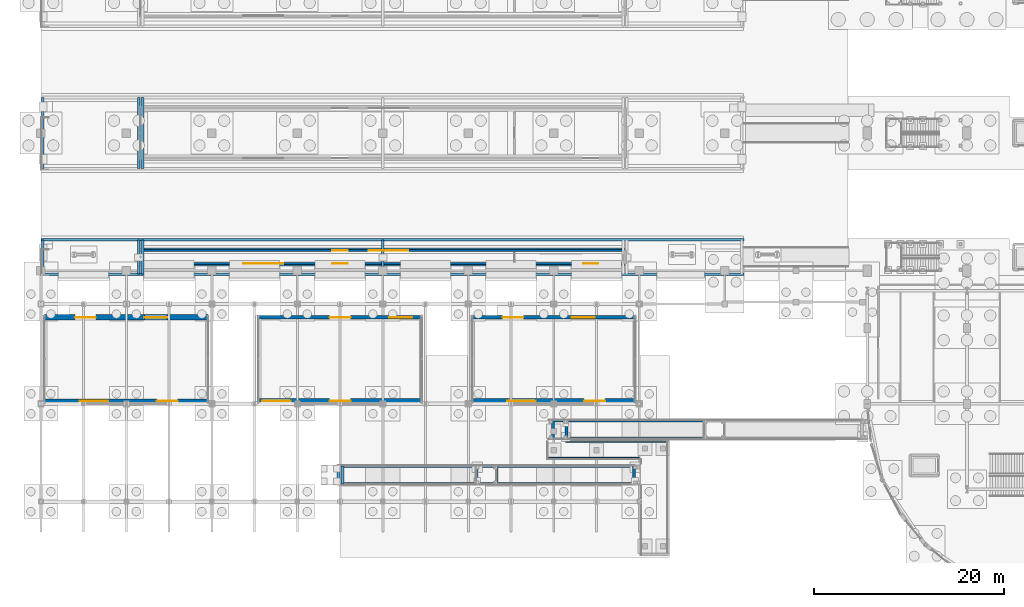
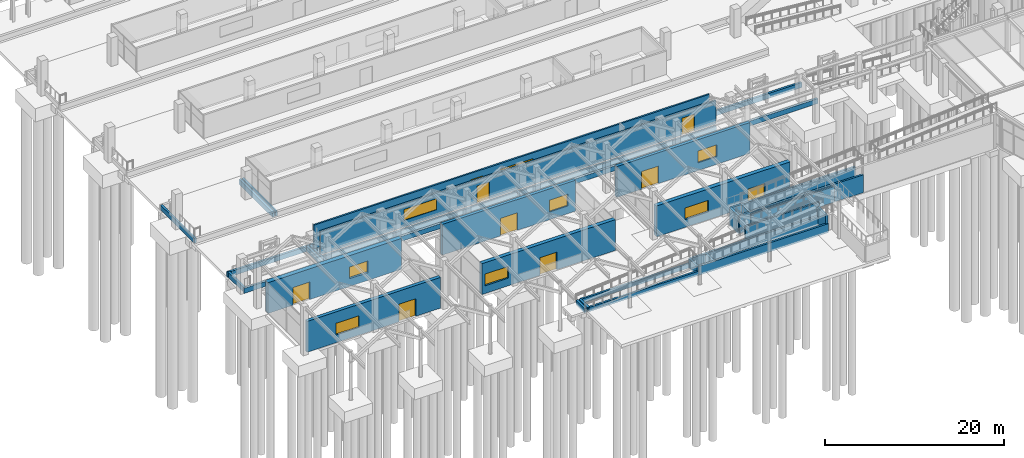
# One storey, part 98 of 160: 34 walls, 9 doors, 8 windows, 17 openings.
"""IFC4 building model written with IfcOpenShell, lengths in metres."""

from ifc_helpers import new_model, si_unit, direction, frame, frame_2d, origin, place, context, subcontext, project, spatial, rectangle, extrude, material, layer, layer_set, type_object, element, fill, save


model = new_model("IFC4")

# Units and contexts
model_context = context("Model", 3, precision=1e-05, world=origin(), true_north=direction((0.0, 1.0)))
body_context = subcontext(model_context, "Body", "Model", "MODEL_VIEW")
ifc_project = project(units=[si_unit("LENGTHUNIT", "METRE"), si_unit("AREAUNIT", "SQUARE_METRE"), si_unit("VOLUMEUNIT", "CUBIC_METRE"), si_unit("PLANEANGLEUNIT", "RADIAN"), si_unit("MASSUNIT", "GRAM", prefix="KILO")], contexts=[model_context])

# Site, building, storey
site_placement = place(None, origin())
site = spatial("IfcSite", under=ifc_project, at=site_placement, CompositionType="ELEMENT")
building_placement = place(site_placement, origin())
building = spatial("IfcBuilding", under=site, at=building_placement, Name="Marlcrest Central Station", CompositionType="ELEMENT")
storey_placement = place(building_placement, origin())
storey = spatial("IfcBuildingStorey", under=building, at=storey_placement, Name="L00", CompositionType="ELEMENT", Elevation=0.0)

# Walls
ifc_material_1 = material(Name="Concrete C40/50", Category="concrete")
ifc_layer_1 = layer(ifc_material_1, 0.199951171875, Name="EP-01")
ifc_layer_set_1 = layer_set([ifc_layer_1], Name="Concrete C40/50")
wall_type_1 = type_object("IfcWallType", Name="EP-01", PredefinedType="PARAPET", material=ifc_layer_set_1)
wall_1_placement = place(storey_placement, frame((53.449951171875, 16.75, 0.0), z_axis=(0.0, 0.0, 1.0), x_axis=(1.0, 0.0, 0.0)))
element("IfcWall", 1, at=wall_1_placement, inside=storey, type_object=wall_type_1, Name="ewall-L00-0267", PredefinedType="PARAPET", context=body_context, shape_type="SweptSolid", body=[
    extrude(rectangle(XDim=9.550048828125, YDim=0.199951171875, at=frame_2d((4.77490234375, 0.0))), origin(), (0.0, 0.0, 1.0), 2.14990234375),
])
wall_2_placement = place(storey_placement, frame((55.25, 18.550048828125, 0.0), z_axis=(0.0, 0.0, 1.0), x_axis=(1.0, 0.0, 0.0)))
element("IfcWall", 2, at=wall_2_placement, inside=storey, type_object=wall_type_1, Name="ewall-L00-0268", PredefinedType="PARAPET", context=body_context, shape_type="SweptSolid", body=[
    extrude(rectangle(XDim=10.75, YDim=0.199951171875, at=frame_2d((5.375, 0.0))), origin(), (0.0, 0.0, 1.0), 2.14990234375),
])

# Wall, openings, door, window
ifc_material_2 = material(Name="St. Thomas limestone on Concrete C40/50", Category="masonry")
ifc_layer_2 = layer(ifc_material_2, 0.3798828125, Name="EW-07")
ifc_layer_set_2 = layer_set([ifc_layer_2], Name="St. Thomas limestone on Concrete C40/50")
wall_type_2 = type_object("IfcWallType", Name="EW-07", PredefinedType="SOLIDWALL", material=ifc_layer_set_2)
wall_3_placement = place(storey_placement, frame((22.89990234375, 31.60009765625, 0.0), z_axis=(0.0, 0.0, 1.0), x_axis=(1.0, 0.0, 0.0)))
wall_3 = element("IfcWall", 3, at=wall_3_placement, inside=storey, type_object=wall_type_2, Name="ewall-L00-0034", PredefinedType="SOLIDWALL", context=body_context, shape_type="SweptSolid", body=[
    extrude(rectangle(XDim=17.2001953125, YDim=0.3798828125, at=frame_2d((8.60009765625, 0.0))), origin(), (0.0, 0.0, 1.0), 4.199951171875),
])
opening_1_placement = place(wall_3_placement, frame((7.5, 0.0, 0.0)))
opening_1 = element("IfcOpeningElement", 4, at=opening_1_placement, cuts=wall_3, Name="Opening ED-01", PredefinedType="OPENING", context=body_context, shape_type="SweptSolid", body=[
    extrude(rectangle(XDim=2.199951171875, YDim=2.39990234375, at=frame_2d((1.10009765625, 1.199951171875))), frame((0.0, 0.199951171875, 0.0), z_axis=(0.0, -1.0, 0.0), x_axis=(1.0, 0.0, 0.0)), (0.0, 0.0, 1.0), 0.39990234375),
])
opening_2_placement = place(wall_3_placement, frame((13.800048828125, 0.0, 1.050048828125)))
opening_2 = element("IfcOpeningElement", 5, at=opening_2_placement, cuts=wall_3, Name="Opening WN-02", PredefinedType="OPENING", context=body_context, shape_type="SweptSolid", body=[
    extrude(rectangle(XDim=2.39990234375, YDim=1.60009765625, at=frame_2d((1.199951171875, 0.800048828125))), frame((0.0, 0.199951171875, 0.0), z_axis=(0.0, -1.0, 0.0), x_axis=(1.0, 0.0, 0.0)), (0.0, 0.0, 1.0), 0.39990234375),
])
ifc_material_3 = material(Name="Thermally broken anodised aluminium and laminated safety glass", Category="aluminium")
door_type_1 = type_object("IfcDoorType", Name="ED-01", OperationType="DOUBLE_DOOR_SINGLE_SWING", PredefinedType="DOOR", material=ifc_material_3)
door_1_placement = place(opening_1_placement, origin())
door_1 = element("IfcDoor", 6, at=door_1_placement, inside=storey, type_object=door_type_1, Name="Pavilion 2 Concourse Apron Exit Door 018", OperationType="DOUBLE_DOOR_SINGLE_SWING", OverallHeight=2.39990234375, OverallWidth=2.199951171875, PredefinedType="DOOR", context=body_context, shape_type="SweptSolid", body=[
    extrude(rectangle(XDim=2.199951171875, YDim=2.39990234375, at=frame_2d((1.10009765625, 1.199951171875))), frame((0.0, 0.02490234375, 0.0), z_axis=(0.0, -1.0, 0.0), x_axis=(1.0, 0.0, 0.0)), (0.0, 0.0, 1.0), 0.050048828125),
])
fill(opening_1, door_1)
ifc_material_4 = material(Name="Thermally broken bronze-anodised aluminium and laminated low-E glass", Category="aluminium")
window_type_1 = type_object("IfcWindowType", Name="WN-02", PartitioningType="SINGLE_PANEL", PredefinedType="WINDOW", material=ifc_material_4)
window_1_placement = place(opening_2_placement, origin())
window_1 = element("IfcWindow", 7, at=window_1_placement, inside=storey, type_object=window_type_1, Name="ewin-L00-0004", OverallHeight=1.60009765625, OverallWidth=2.39990234375, PartitioningType="SINGLE_PANEL", PredefinedType="WINDOW", context=body_context, shape_type="SweptSolid", body=[
    extrude(rectangle(XDim=2.39990234375, YDim=1.60009765625, at=frame_2d((1.199951171875, 0.800048828125))), frame((0.0, 0.030029296875, 0.0), z_axis=(0.0, -1.0, 0.0), x_axis=(1.0, 0.0, 0.0)), (0.0, 0.0, 1.0), 0.06005859375),
])
fill(opening_2, window_1)

wall_4_placement = place(storey_placement, frame((45.39990234375, 31.60009765625, 0.0), z_axis=(0.0, 0.0, 1.0), x_axis=(1.0, 0.0, 0.0)))
wall_4 = element("IfcWall", 8, at=wall_4_placement, inside=storey, type_object=wall_type_2, Name="ewall-L00-0036", PredefinedType="SOLIDWALL", context=body_context, shape_type="SweptSolid", body=[
    extrude(rectangle(XDim=17.2001953125, YDim=0.3798828125, at=frame_2d((8.60009765625, 0.0))), origin(), (0.0, 0.0, 1.0), 4.199951171875),
])
opening_3_placement = place(wall_4_placement, frame((3.199951171875, 0.0, 0.0)))
opening_3 = element("IfcOpeningElement", 9, at=opening_3_placement, cuts=wall_4, Name="Opening ED-01", PredefinedType="OPENING", context=body_context, shape_type="SweptSolid", body=[
    extrude(rectangle(XDim=2.199951171875, YDim=2.39990234375, at=frame_2d((1.10009765625, 1.199951171875))), frame((0.0, 0.199951171875, 0.0), z_axis=(0.0, -1.0, 0.0), x_axis=(1.0, 0.0, 0.0)), (0.0, 0.0, 1.0), 0.39990234375),
])
opening_4_placement = place(wall_4_placement, frame((10.5, 0.0, 1.050048828125)))
opening_4 = element("IfcOpeningElement", 10, at=opening_4_placement, cuts=wall_4, Name="Opening WN-02", PredefinedType="OPENING", context=body_context, shape_type="SweptSolid", body=[
    extrude(rectangle(XDim=2.39990234375, YDim=1.60009765625, at=frame_2d((1.199951171875, 0.800048828125))), frame((0.0, 0.199951171875, 0.0), z_axis=(0.0, -1.0, 0.0), x_axis=(1.0, 0.0, 0.0)), (0.0, 0.0, 1.0), 0.39990234375),
])
door_2_placement = place(opening_3_placement, origin())
door_2 = element("IfcDoor", 11, at=door_2_placement, inside=storey, type_object=door_type_1, Name="Pavilion 3 Concourse Apron Exit Door 020", OperationType="DOUBLE_DOOR_SINGLE_SWING", OverallHeight=2.39990234375, OverallWidth=2.199951171875, PredefinedType="DOOR", context=body_context, shape_type="SweptSolid", body=[
    extrude(rectangle(XDim=2.199951171875, YDim=2.39990234375, at=frame_2d((1.10009765625, 1.199951171875))), frame((0.0, 0.02490234375, 0.0), z_axis=(0.0, -1.0, 0.0), x_axis=(1.0, 0.0, 0.0)), (0.0, 0.0, 1.0), 0.050048828125),
])
fill(opening_3, door_2)
window_2_placement = place(opening_4_placement, origin())
window_2 = element("IfcWindow", 12, at=window_2_placement, inside=storey, type_object=window_type_1, Name="ewin-L00-0006", OverallHeight=1.60009765625, OverallWidth=2.39990234375, PartitioningType="SINGLE_PANEL", PredefinedType="WINDOW", context=body_context, shape_type="SweptSolid", body=[
    extrude(rectangle(XDim=2.39990234375, YDim=1.60009765625, at=frame_2d((1.199951171875, 0.800048828125))), frame((0.0, 0.030029296875, 0.0), z_axis=(0.0, -1.0, 0.0), x_axis=(1.0, 0.0, 0.0)), (0.0, 0.0, 1.0), 0.06005859375),
])
fill(opening_4, window_2)

# Wall, openings, doors, window
ifc_material_5 = material(Name="Concrete C35/45", Category="concrete")
ifc_layer_3 = layer(ifc_material_5, 0.2099609375, Name="EW-08")
ifc_layer_set_3 = layer_set([ifc_layer_3], Name="Concrete C35/45")
wall_type_3 = type_object("IfcWallType", Name="EW-08", PredefinedType="SOLIDWALL", material=ifc_layer_set_3)
wall_5_placement = place(storey_placement, frame((61.5, 37.25, 0.9150390625), z_axis=(0.0, 0.0, 1.0), x_axis=(-1.0, 0.0, 0.0)))
wall_5 = element("IfcWall", 13, at=wall_5_placement, inside=storey, type_object=wall_type_3, Name="ewall-L00-0215", PredefinedType="SOLIDWALL", context=body_context, shape_type="SweptSolid", body=[
    extrude(rectangle(XDim=51.0, YDim=0.2099609375, at=frame_2d((25.5, 0.0))), origin(), (0.0, 0.0, 1.0), 3.18505859375),
])
opening_5_placement = place(wall_5_placement, frame((29.199951171875, 0.0, 0.0)))
opening_5 = element("IfcOpeningElement", 14, at=opening_5_placement, cuts=wall_5, Name="Opening ED-05", PredefinedType="OPENING", context=body_context, shape_type="SweptSolid", body=[
    extrude(rectangle(XDim=1.60009765625, YDim=2.300048828125, at=frame_2d((0.800048828125, 1.14990234375))), frame((0.0, 0.114990234375, 0.0), z_axis=(0.0, -1.0, 0.0), x_axis=(1.0, 0.0, 0.0)), (0.0, 0.0, 1.0), 0.22998046875),
])
opening_6_placement = place(wall_5_placement, frame((2.800048828125, 0.0, 0.0)))
opening_6 = element("IfcOpeningElement", 15, at=opening_6_placement, cuts=wall_5, Name="Opening ED-05", PredefinedType="OPENING", context=body_context, shape_type="SweptSolid", body=[
    extrude(rectangle(XDim=1.60009765625, YDim=2.300048828125, at=frame_2d((0.800048828125, 1.14990234375))), frame((0.0, 0.114990234375, 0.0), z_axis=(0.0, -1.0, 0.0), x_axis=(1.0, 0.0, 0.0)), (0.0, 0.0, 1.0), 0.22998046875),
])
opening_7_placement = place(wall_5_placement, frame((36.0, 0.0, 0.89990234375)))
opening_7 = element("IfcOpeningElement", 16, at=opening_7_placement, cuts=wall_5, Name="Opening WN-12", PredefinedType="OPENING", context=body_context, shape_type="SweptSolid", body=[
    extrude(rectangle(XDim=4.199951171875, YDim=1.5, at=frame_2d((2.10009765625, 0.75))), frame((0.0, 0.114990234375, 0.0), z_axis=(0.0, -1.0, 0.0), x_axis=(1.0, 0.0, 0.0)), (0.0, 0.0, 1.0), 0.22998046875),
])
door_type_2 = type_object("IfcDoorType", Name="ED-05", OperationType="DOUBLE_DOOR_SINGLE_SWING", PredefinedType="DOOR", material=ifc_material_3)
door_3_placement = place(opening_5_placement, origin())
door_3 = element("IfcDoor", 17, at=door_3_placement, inside=storey, type_object=door_type_2, Name="Platform 1 W South Lounge Door 045", OperationType="DOUBLE_DOOR_SINGLE_SWING", OverallHeight=2.300048828125, OverallWidth=1.60009765625, PredefinedType="DOOR", context=body_context, shape_type="SweptSolid", body=[
    extrude(rectangle(XDim=1.60009765625, YDim=2.300048828125, at=frame_2d((0.800048828125, 1.14990234375))), frame((0.0, 0.02490234375, 0.0), z_axis=(0.0, -1.0, 0.0), x_axis=(1.0, 0.0, 0.0)), (0.0, 0.0, 1.0), 0.050048828125),
])
fill(opening_5, door_3)
door_4_placement = place(opening_6_placement, origin())
door_4 = element("IfcDoor", 18, at=door_4_placement, inside=storey, type_object=door_type_2, Name="Platform 1 W Pod Door 046", OperationType="DOUBLE_DOOR_SINGLE_SWING", OverallHeight=2.300048828125, OverallWidth=1.60009765625, PredefinedType="DOOR", context=body_context, shape_type="SweptSolid", body=[
    extrude(rectangle(XDim=1.60009765625, YDim=2.300048828125, at=frame_2d((0.800048828125, 1.14990234375))), frame((0.0, 0.02490234375, 0.0), z_axis=(0.0, -1.0, 0.0), x_axis=(1.0, 0.0, 0.0)), (0.0, 0.0, 1.0), 0.050048828125),
])
fill(opening_6, door_4)
window_type_2 = type_object("IfcWindowType", Name="WN-12", PartitioningType="SINGLE_PANEL", PredefinedType="WINDOW", material=ifc_material_4)
window_3_placement = place(opening_7_placement, origin())
window_3 = element("IfcWindow", 19, at=window_3_placement, inside=storey, type_object=window_type_2, Name="ewin-L00-0168", OverallHeight=1.5, OverallWidth=4.199951171875, PartitioningType="SINGLE_PANEL", PredefinedType="WINDOW", context=body_context, shape_type="SweptSolid", body=[
    extrude(rectangle(XDim=4.199951171875, YDim=1.5, at=frame_2d((2.10009765625, 0.75))), frame((0.0, 0.030029296875, 0.0), z_axis=(0.0, -1.0, 0.0), x_axis=(1.0, 0.0, 0.0)), (0.0, 0.0, 1.0), 0.06005859375),
])
fill(opening_7, window_3)

# Wall, openings, door, window
wall_6_placement = place(storey_placement, frame((10.5, 38.64990234375, 0.9150390625), z_axis=(0.0, 0.0, 1.0), x_axis=(1.0, 0.0, 0.0)))
wall_6 = element("IfcWall", 20, at=wall_6_placement, inside=storey, type_object=wall_type_3, Name="ewall-L00-0216", PredefinedType="SOLIDWALL", context=body_context, shape_type="SweptSolid", body=[
    extrude(rectangle(XDim=51.0, YDim=0.2099609375, at=frame_2d((25.5, 0.0))), origin(), (0.0, 0.0, 1.0), 3.18505859375),
])
opening_8_placement = place(wall_6_placement, frame((20.199951171875, 0.0, 0.0)))
opening_8 = element("IfcOpeningElement", 21, at=opening_8_placement, cuts=wall_6, Name="Opening ED-05", PredefinedType="OPENING", context=body_context, shape_type="SweptSolid", body=[
    extrude(rectangle(XDim=1.60009765625, YDim=2.300048828125, at=frame_2d((0.800048828125, 1.14990234375))), frame((0.0, 0.114990234375, 0.0), z_axis=(0.0, -1.0, 0.0), x_axis=(1.0, 0.0, 0.0)), (0.0, 0.0, 1.0), 0.22998046875),
])
opening_9_placement = place(wall_6_placement, frame((24.0, 0.0, 0.89990234375)))
opening_9 = element("IfcOpeningElement", 22, at=opening_9_placement, cuts=wall_6, Name="Opening WN-12", PredefinedType="OPENING", context=body_context, shape_type="SweptSolid", body=[
    extrude(rectangle(XDim=4.199951171875, YDim=1.5, at=frame_2d((2.10009765625, 0.75))), frame((0.0, 0.114990234375, 0.0), z_axis=(0.0, -1.0, 0.0), x_axis=(1.0, 0.0, 0.0)), (0.0, 0.0, 1.0), 0.22998046875),
])
door_5_placement = place(opening_8_placement, origin())
door_5 = element("IfcDoor", 23, at=door_5_placement, inside=storey, type_object=door_type_2, Name="Platform 1 W North Lounge Door 047", OperationType="DOUBLE_DOOR_SINGLE_SWING", OverallHeight=2.300048828125, OverallWidth=1.60009765625, PredefinedType="DOOR", context=body_context, shape_type="SweptSolid", body=[
    extrude(rectangle(XDim=1.60009765625, YDim=2.300048828125, at=frame_2d((0.800048828125, 1.14990234375))), frame((0.0, 0.02490234375, 0.0), z_axis=(0.0, -1.0, 0.0), x_axis=(1.0, 0.0, 0.0)), (0.0, 0.0, 1.0), 0.050048828125),
])
fill(opening_8, door_5)
window_4_placement = place(opening_9_placement, origin())
window_4 = element("IfcWindow", 24, at=window_4_placement, inside=storey, type_object=window_type_2, Name="ewin-L00-0169", OverallHeight=1.5, OverallWidth=4.199951171875, PartitioningType="SINGLE_PANEL", PredefinedType="WINDOW", context=body_context, shape_type="SweptSolid", body=[
    extrude(rectangle(XDim=4.199951171875, YDim=1.5, at=frame_2d((2.10009765625, 0.75))), frame((0.0, 0.030029296875, 0.0), z_axis=(0.0, -1.0, 0.0), x_axis=(1.0, 0.0, 0.0)), (0.0, 0.0, 1.0), 0.06005859375),
])
fill(opening_9, window_4)

ifc_layer_4 = layer(ifc_material_2, 0.429931640625, Name="EW-09")
ifc_layer_set_4 = layer_set([ifc_layer_4], Name="St. Thomas limestone on Concrete C40/50")
wall_type_4 = type_object("IfcWallType", Name="EW-09", PredefinedType="SOLIDWALL", material=ifc_layer_set_4)
wall_7_placement = place(storey_placement, frame((17.60009765625, 22.800048828125, 0.0), z_axis=(0.0, 0.0, 1.0), x_axis=(-1.0, 0.0, 0.0)))
wall_7 = element("IfcWall", 25, at=wall_7_placement, inside=storey, type_object=wall_type_4, Name="ewall-L00-0031", PredefinedType="SOLIDWALL", context=body_context, shape_type="SweptSolid", body=[
    extrude(rectangle(XDim=17.2001953125, YDim=0.429931640625, at=frame_2d((8.60009765625, 0.0))), origin(), (0.0, 0.0, 1.0), 4.199951171875),
])
opening_10_placement = place(wall_7_placement, frame((3.199951171875, 0.0, 0.0)))
opening_10 = element("IfcOpeningElement", 26, at=opening_10_placement, cuts=wall_7, Name="Opening ED-01", PredefinedType="OPENING", context=body_context, shape_type="SweptSolid", body=[
    extrude(rectangle(XDim=2.199951171875, YDim=2.39990234375, at=frame_2d((1.10009765625, 1.199951171875))), frame((0.0, 0.224853515625, 0.0), z_axis=(0.0, -1.0, 0.0), x_axis=(1.0, 0.0, 0.0)), (0.0, 0.0, 1.0), 0.449951171875),
])
opening_11_placement = place(wall_7_placement, frame((10.5, 0.0, 1.050048828125)))
opening_11 = element("IfcOpeningElement", 27, at=opening_11_placement, cuts=wall_7, Name="Opening WN-03", PredefinedType="OPENING", context=body_context, shape_type="SweptSolid", body=[
    extrude(rectangle(XDim=3.0, YDim=1.60009765625, at=frame_2d((1.5, 0.800048828125))), frame((0.0, 0.224853515625, 0.0), z_axis=(0.0, -1.0, 0.0), x_axis=(1.0, 0.0, 0.0)), (0.0, 0.0, 1.0), 0.449951171875),
])
door_6_placement = place(opening_10_placement, origin())
door_6 = element("IfcDoor", 28, at=door_6_placement, inside=storey, type_object=door_type_1, Name="Pavilion 1 Forecourt Exit Door 015", OperationType="DOUBLE_DOOR_SINGLE_SWING", OverallHeight=2.39990234375, OverallWidth=2.199951171875, PredefinedType="DOOR", context=body_context, shape_type="SweptSolid", body=[
    extrude(rectangle(XDim=2.199951171875, YDim=2.39990234375, at=frame_2d((1.10009765625, 1.199951171875))), frame((0.0, 0.02490234375, 0.0), z_axis=(0.0, -1.0, 0.0), x_axis=(1.0, 0.0, 0.0)), (0.0, 0.0, 1.0), 0.050048828125),
])
fill(opening_10, door_6)
window_type_3 = type_object("IfcWindowType", Name="WN-03", PartitioningType="SINGLE_PANEL", PredefinedType="WINDOW", material=ifc_material_4)
window_5_placement = place(opening_11_placement, origin())
window_5 = element("IfcWindow", 29, at=window_5_placement, inside=storey, type_object=window_type_3, Name="ewin-L00-0001", OverallHeight=1.60009765625, OverallWidth=3.0, PartitioningType="SINGLE_PANEL", PredefinedType="WINDOW", context=body_context, shape_type="SweptSolid", body=[
    extrude(rectangle(XDim=3.0, YDim=1.60009765625, at=frame_2d((1.5, 0.800048828125))), frame((0.0, 0.030029296875, 0.0), z_axis=(0.0, -1.0, 0.0), x_axis=(1.0, 0.0, 0.0)), (0.0, 0.0, 1.0), 0.06005859375),
])
fill(opening_11, window_5)

ifc_layer_5 = layer(ifc_material_2, 0.47998046875, Name="EW-10")
ifc_layer_set_5 = layer_set([ifc_layer_5], Name="St. Thomas limestone on Concrete C40/50")
wall_type_5 = type_object("IfcWallType", Name="EW-10", PredefinedType="SOLIDWALL", material=ifc_layer_set_5)
wall_8_placement = place(storey_placement, frame((40.10009765625, 22.800048828125, 0.0), z_axis=(0.0, 0.0, 1.0), x_axis=(-1.0, 0.0, 0.0)))
wall_8 = element("IfcWall", 30, at=wall_8_placement, inside=storey, type_object=wall_type_5, Name="ewall-L00-0033", PredefinedType="SOLIDWALL", context=body_context, shape_type="SweptSolid", body=[
    extrude(rectangle(XDim=17.2001953125, YDim=0.47998046875, at=frame_2d((8.60009765625, 0.0))), origin(), (0.0, 0.0, 1.0), 4.199951171875),
])
opening_12_placement = place(wall_8_placement, frame((7.5, 0.0, 0.0)))
opening_12 = element("IfcOpeningElement", 31, at=opening_12_placement, cuts=wall_8, Name="Opening ED-01", PredefinedType="OPENING", context=body_context, shape_type="SweptSolid", body=[
    extrude(rectangle(XDim=2.199951171875, YDim=2.39990234375, at=frame_2d((1.10009765625, 1.199951171875))), frame((0.0, 0.25, 0.0), z_axis=(0.0, -1.0, 0.0), x_axis=(1.0, 0.0, 0.0)), (0.0, 0.0, 1.0), 0.5),
])
opening_13_placement = place(wall_8_placement, frame((13.800048828125, 0.0, 1.050048828125)))
opening_13 = element("IfcOpeningElement", 32, at=opening_13_placement, cuts=wall_8, Name="Opening WN-03", PredefinedType="OPENING", context=body_context, shape_type="SweptSolid", body=[
    extrude(rectangle(XDim=3.0, YDim=1.60009765625, at=frame_2d((1.5, 0.800048828125))), frame((0.0, 0.25, 0.0), z_axis=(0.0, -1.0, 0.0), x_axis=(1.0, 0.0, 0.0)), (0.0, 0.0, 1.0), 0.5),
])
door_7_placement = place(opening_12_placement, origin())
door_7 = element("IfcDoor", 33, at=door_7_placement, inside=storey, type_object=door_type_1, Name="Pavilion 2 Forecourt Exit Door 017", OperationType="DOUBLE_DOOR_SINGLE_SWING", OverallHeight=2.39990234375, OverallWidth=2.199951171875, PredefinedType="DOOR", context=body_context, shape_type="SweptSolid", body=[
    extrude(rectangle(XDim=2.199951171875, YDim=2.39990234375, at=frame_2d((1.10009765625, 1.199951171875))), frame((0.0, 0.02490234375, 0.0), z_axis=(0.0, -1.0, 0.0), x_axis=(1.0, 0.0, 0.0)), (0.0, 0.0, 1.0), 0.050048828125),
])
fill(opening_12, door_7)
window_6_placement = place(opening_13_placement, origin())
window_6 = element("IfcWindow", 34, at=window_6_placement, inside=storey, type_object=window_type_3, Name="ewin-L00-0003", OverallHeight=1.60009765625, OverallWidth=3.0, PartitioningType="SINGLE_PANEL", PredefinedType="WINDOW", context=body_context, shape_type="SweptSolid", body=[
    extrude(rectangle(XDim=3.0, YDim=1.60009765625, at=frame_2d((1.5, 0.800048828125))), frame((0.0, 0.030029296875, 0.0), z_axis=(0.0, -1.0, 0.0), x_axis=(1.0, 0.0, 0.0)), (0.0, 0.0, 1.0), 0.06005859375),
])
fill(opening_13, window_6)

ifc_layer_6 = layer(ifc_material_2, 0.52001953125, Name="EW-11")
ifc_layer_set_6 = layer_set([ifc_layer_6], Name="St. Thomas limestone on Concrete C40/50")
wall_type_6 = type_object("IfcWallType", Name="EW-11", PredefinedType="SOLIDWALL", material=ifc_layer_set_6)
wall_9_placement = place(storey_placement, frame((62.60009765625, 22.800048828125, 0.0), z_axis=(0.0, 0.0, 1.0), x_axis=(-1.0, 0.0, 0.0)))
wall_9 = element("IfcWall", 35, at=wall_9_placement, inside=storey, type_object=wall_type_6, Name="ewall-L00-0035", PredefinedType="SOLIDWALL", context=body_context, shape_type="SweptSolid", body=[
    extrude(rectangle(XDim=17.2001953125, YDim=0.52001953125, at=frame_2d((8.60009765625, 0.0))), origin(), (0.0, 0.0, 1.0), 4.199951171875),
])
opening_14_placement = place(wall_9_placement, frame((3.199951171875, 0.0, 0.0)))
opening_14 = element("IfcOpeningElement", 36, at=opening_14_placement, cuts=wall_9, Name="Opening ED-01", PredefinedType="OPENING", context=body_context, shape_type="SweptSolid", body=[
    extrude(rectangle(XDim=2.199951171875, YDim=2.39990234375, at=frame_2d((1.10009765625, 1.199951171875))), frame((0.0, 0.27001953125, 0.0), z_axis=(0.0, -1.0, 0.0), x_axis=(1.0, 0.0, 0.0)), (0.0, 0.0, 1.0), 0.5400390625),
])
opening_15_placement = place(wall_9_placement, frame((10.5, 0.0, 1.050048828125)))
opening_15 = element("IfcOpeningElement", 37, at=opening_15_placement, cuts=wall_9, Name="Opening WN-03", PredefinedType="OPENING", context=body_context, shape_type="SweptSolid", body=[
    extrude(rectangle(XDim=3.0, YDim=1.60009765625, at=frame_2d((1.5, 0.800048828125))), frame((0.0, 0.27001953125, 0.0), z_axis=(0.0, -1.0, 0.0), x_axis=(1.0, 0.0, 0.0)), (0.0, 0.0, 1.0), 0.5400390625),
])
door_8_placement = place(opening_14_placement, origin())
door_8 = element("IfcDoor", 38, at=door_8_placement, inside=storey, type_object=door_type_1, Name="Pavilion 3 Forecourt Exit Door 019", OperationType="DOUBLE_DOOR_SINGLE_SWING", OverallHeight=2.39990234375, OverallWidth=2.199951171875, PredefinedType="DOOR", context=body_context, shape_type="SweptSolid", body=[
    extrude(rectangle(XDim=2.199951171875, YDim=2.39990234375, at=frame_2d((1.10009765625, 1.199951171875))), frame((0.0, 0.02490234375, 0.0), z_axis=(0.0, -1.0, 0.0), x_axis=(1.0, 0.0, 0.0)), (0.0, 0.0, 1.0), 0.050048828125),
])
fill(opening_14, door_8)
window_7_placement = place(opening_15_placement, origin())
window_7 = element("IfcWindow", 39, at=window_7_placement, inside=storey, type_object=window_type_3, Name="ewin-L00-0005", OverallHeight=1.60009765625, OverallWidth=3.0, PartitioningType="SINGLE_PANEL", PredefinedType="WINDOW", context=body_context, shape_type="SweptSolid", body=[
    extrude(rectangle(XDim=3.0, YDim=1.60009765625, at=frame_2d((1.5, 0.800048828125))), frame((0.0, 0.030029296875, 0.0), z_axis=(0.0, -1.0, 0.0), x_axis=(1.0, 0.0, 0.0)), (0.0, 0.0, 1.0), 0.06005859375),
])
fill(opening_15, window_7)

ifc_layer_7 = layer(ifc_material_2, 0.570068359375, Name="EW-12")
ifc_layer_set_7 = layer_set([ifc_layer_7], Name="St. Thomas limestone on Concrete C40/50")
wall_type_7 = type_object("IfcWallType", Name="EW-12", PredefinedType="SOLIDWALL", material=ifc_layer_set_7)
wall_10_placement = place(storey_placement, frame((0.39990234375, 31.60009765625, 0.0), z_axis=(0.0, 0.0, 1.0), x_axis=(1.0, 0.0, 0.0)))
wall_10 = element("IfcWall", 40, at=wall_10_placement, inside=storey, type_object=wall_type_7, Name="ewall-L00-0032", PredefinedType="SOLIDWALL", context=body_context, shape_type="SweptSolid", body=[
    extrude(rectangle(XDim=17.2001953125, YDim=0.570068359375, at=frame_2d((8.60009765625, 0.0))), origin(), (0.0, 0.0, 1.0), 4.199951171875),
])
opening_16_placement = place(wall_10_placement, frame((3.199951171875, 0.0, 0.0)))
opening_16 = element("IfcOpeningElement", 41, at=opening_16_placement, cuts=wall_10, Name="Opening ED-01", PredefinedType="OPENING", context=body_context, shape_type="SweptSolid", body=[
    extrude(rectangle(XDim=2.199951171875, YDim=2.39990234375, at=frame_2d((1.10009765625, 1.199951171875))), frame((0.0, 0.294921875, 0.0), z_axis=(0.0, -1.0, 0.0), x_axis=(1.0, 0.0, 0.0)), (0.0, 0.0, 1.0), 0.590087890625),
])
opening_17_placement = place(wall_10_placement, frame((10.5, 0.0, 1.050048828125)))
opening_17 = element("IfcOpeningElement", 42, at=opening_17_placement, cuts=wall_10, Name="Opening WN-02", PredefinedType="OPENING", context=body_context, shape_type="SweptSolid", body=[
    extrude(rectangle(XDim=2.39990234375, YDim=1.60009765625, at=frame_2d((1.199951171875, 0.800048828125))), frame((0.0, 0.294921875, 0.0), z_axis=(0.0, -1.0, 0.0), x_axis=(1.0, 0.0, 0.0)), (0.0, 0.0, 1.0), 0.590087890625),
])
door_9_placement = place(opening_16_placement, origin())
door_9 = element("IfcDoor", 43, at=door_9_placement, inside=storey, type_object=door_type_1, Name="Pavilion 1 Concourse Apron Exit Door 016", OperationType="DOUBLE_DOOR_SINGLE_SWING", OverallHeight=2.39990234375, OverallWidth=2.199951171875, PredefinedType="DOOR", context=body_context, shape_type="SweptSolid", body=[
    extrude(rectangle(XDim=2.199951171875, YDim=2.39990234375, at=frame_2d((1.10009765625, 1.199951171875))), frame((0.0, 0.02490234375, 0.0), z_axis=(0.0, -1.0, 0.0), x_axis=(1.0, 0.0, 0.0)), (0.0, 0.0, 1.0), 0.050048828125),
])
fill(opening_16, door_9)
window_8_placement = place(opening_17_placement, origin())
window_8 = element("IfcWindow", 44, at=window_8_placement, inside=storey, type_object=window_type_1, Name="ewin-L00-0002", OverallHeight=1.60009765625, OverallWidth=2.39990234375, PartitioningType="SINGLE_PANEL", PredefinedType="WINDOW", context=body_context, shape_type="SweptSolid", body=[
    extrude(rectangle(XDim=2.39990234375, YDim=1.60009765625, at=frame_2d((1.199951171875, 0.800048828125))), frame((0.0, 0.030029296875, 0.0), z_axis=(0.0, -1.0, 0.0), x_axis=(1.0, 0.0, 0.0)), (0.0, 0.0, 1.0), 0.06005859375),
])
fill(opening_17, window_8)

# Walls
ifc_layer_8 = layer(ifc_material_5, 0.27490234375, Name="PW-01")
ifc_layer_set_8 = layer_set([ifc_layer_8], Name="Concrete C35/45")
wall_type_8 = type_object("IfcWallType", Name="PW-01", PredefinedType="SOLIDWALL", material=ifc_layer_set_8)
for number, where, z_axis, x_axis, name in (
    (45, (0.0, 36.14990234375, 0.0), (0.0, 0.0, 1.0), (1.0, 0.0, 0.0), "swall-L00-0055"),
    (46, (0.0, 39.75, 0.0), (0.0, 0.0, 1.0), (1.0, 0.0, 0.0), "swall-L00-0056"),
):
    element("IfcWall", number, at=place(storey_placement, frame(where, z_axis=z_axis, x_axis=x_axis)), inside=storey, type_object=wall_type_8, Name=name, PredefinedType="SOLIDWALL", context=body_context, shape_type="SweptSolid", body=[
        extrude(rectangle(XDim=74.0, YDim=0.27490234375, at=frame_2d((37.0, 0.0))), origin(), (0.0, 0.0, 1.0), 0.675048828125),
    ])
for number, where, z_axis, x_axis, name in (
    (47, (10.5, 37.14990234375, 0.0), (0.0, 0.0, 1.0), (1.0, 0.0, 0.0), "swall-L00-0057"),
    (48, (10.5, 38.75, 0.0), (0.0, 0.0, 1.0), (1.0, 0.0, 0.0), "swall-L00-0058"),
):
    element("IfcWall", number, at=place(storey_placement, frame(where, z_axis=z_axis, x_axis=x_axis)), inside=storey, type_object=wall_type_8, Name=name, PredefinedType="SOLIDWALL", context=body_context, shape_type="SweptSolid", body=[
        extrude(rectangle(XDim=51.0, YDim=0.27490234375, at=frame_2d((25.5, 0.0))), origin(), (0.0, 0.0, 1.0), 0.675048828125),
    ])
for number, where, z_axis, x_axis, name in (
    (49, (0.199951171875, 36.14990234375, 0.0), (0.0, 0.0, 1.0), (0.0, 1.0, 0.0), "swall-L00-0059"),
    (50, (10.300048828125, 36.14990234375, 0.0), (0.0, 0.0, 1.0), (0.0, 1.0, 0.0), "swall-L00-0060"),
    (51, (10.699951171875, 36.14990234375, 0.0), (0.0, 0.0, 1.0), (0.0, 1.0, 0.0), "swall-L00-0061"),
    (52, (36.0, 36.14990234375, 0.0), (0.0, 0.0, 1.0), (0.0, 1.0, 0.0), "swall-L00-0062"),
):
    element("IfcWall", number, at=place(storey_placement, frame(where, z_axis=z_axis, x_axis=x_axis)), inside=storey, type_object=wall_type_8, Name=name, PredefinedType="SOLIDWALL", context=body_context, shape_type="SweptSolid", body=[
        extrude(rectangle(XDim=3.60009765625, YDim=0.27490234375, at=frame_2d((1.800048828125, 0.0))), origin(), (0.0, 0.0, 1.0), 0.675048828125),
    ])
for number, where, z_axis, x_axis, name in (
    (53, (0.199951171875, 47.25, 0.0), (0.0, 0.0, 1.0), (0.0, 1.0, 0.0), "swall-L00-0081"),
    (54, (10.300048828125, 47.25, 0.0), (0.0, 0.0, 1.0), (0.0, 1.0, 0.0), "swall-L00-0082"),
    (55, (10.699951171875, 47.25, 0.0), (0.0, 0.0, 1.0), (0.0, 1.0, 0.0), "swall-L00-0083"),
):
    element("IfcWall", number, at=place(storey_placement, frame(where, z_axis=z_axis, x_axis=x_axis)), inside=storey, type_object=wall_type_8, Name=name, PredefinedType="SOLIDWALL", context=body_context, shape_type="SweptSolid", body=[
        extrude(rectangle(XDim=7.5, YDim=0.27490234375, at=frame_2d((3.75, 0.0))), origin(), (0.0, 0.0, 1.0), 0.675048828125),
    ])
ifc_layer_9 = layer(ifc_material_1, 0.449951171875, Name="RW-01")
ifc_layer_set_9 = layer_set([ifc_layer_9], Name="Concrete C40/50")
wall_type_9 = type_object("IfcWallType", Name="RW-01", PredefinedType="USERDEFINED", material=ifc_layer_set_9)
for number, where, z_axis, x_axis, name in (
    (56, (31.75, 14.050048828125, -0.25), (0.0, 0.0, 1.0), (0.0, 1.0, 0.0), "rw-rmp-1-T1"),
    (57, (31.35009765625, 14.050048828125, -0.25), (0.0, 0.0, 1.0), (0.0, 1.0, 0.0), "rw-rmp-1-T2"),
):
    element("IfcWall", number, at=place(storey_placement, frame(where, z_axis=z_axis, x_axis=x_axis)), inside=storey, type_object=wall_type_9, Name=name, ObjectType="RETAINING_WALL", PredefinedType="USERDEFINED", context=body_context, shape_type="SweptSolid", body=[
        extrude(rectangle(XDim=1.89990234375, YDim=0.300048828125, at=frame_2d((0.949951171875, 0.0))), origin(), (0.0, 0.0, 1.0), 0.60009765625),
    ])
for number, where, z_axis, x_axis, name in (
    (58, (45.85009765625, 14.050048828125, -0.25), (0.0, 0.0, 1.0), (0.0, 1.0, 0.0), "rw-rmp-1-T3"),
    (59, (47.949951171875, 14.050048828125, -0.25), (0.0, 0.0, 1.0), (0.0, 1.0, 0.0), "rw-rmp-1-T4"),
):
    element("IfcWall", number, at=place(storey_placement, frame(where, z_axis=z_axis, x_axis=x_axis)), inside=storey, type_object=wall_type_9, Name=name, ObjectType="RETAINING_WALL", PredefinedType="USERDEFINED", context=body_context, shape_type="SweptSolid", body=[
        extrude(rectangle(XDim=1.89990234375, YDim=0.300048828125, at=frame_2d((0.949951171875, 0.0))), origin(), (0.0, 0.0, 1.0), 1.22998046875),
    ])
wall_11_placement = place(storey_placement, frame((62.449951171875, 14.050048828125, -0.25), z_axis=(0.0, 0.0, 1.0), x_axis=(0.0, 1.0, 0.0)))
element("IfcWall", 60, at=wall_11_placement, inside=storey, type_object=wall_type_9, Name="rw-rmp-1-T5", ObjectType="RETAINING_WALL", PredefinedType="USERDEFINED", context=body_context, shape_type="SweptSolid", body=[
    extrude(rectangle(XDim=1.89990234375, YDim=0.300048828125, at=frame_2d((0.949951171875, 0.0))), origin(), (0.0, 0.0, 1.0), 2.429931640625),
])
wall_12_placement = place(storey_placement, frame((31.75, 14.10009765625, -0.25), z_axis=(0.0, 0.0, 1.0), x_axis=(1.0, 0.0, 0.0)))
element("IfcWall", 61, at=wall_12_placement, inside=storey, type_object=wall_type_9, Name="rw-rmp-1-S1", ObjectType="RETAINING_WALL", PredefinedType="USERDEFINED", context=body_context, shape_type="SweptSolid", body=[
    extrude(rectangle(XDim=14.14990234375, YDim=0.25, at=frame_2d((7.074951171875, 0.0))), origin(), (0.0, 0.0, 1.0), 0.60009765625),
])
wall_13_placement = place(storey_placement, frame((45.89990234375, 14.10009765625, -0.25), z_axis=(0.0, 0.0, 1.0), x_axis=(1.0, 0.0, 0.0)))
element("IfcWall", 62, at=wall_13_placement, inside=storey, type_object=wall_type_9, Name="rw-rmp-1-S2", ObjectType="RETAINING_WALL", PredefinedType="USERDEFINED", context=body_context, shape_type="SweptSolid", body=[
    extrude(rectangle(XDim=16.75, YDim=0.25, at=frame_2d((8.375, 0.0))), origin(), (0.0, 0.0, 1.0), 1.22998046875),
])
wall_14_placement = place(storey_placement, frame((31.75, 15.89990234375, -0.25), z_axis=(0.0, 0.0, 1.0), x_axis=(1.0, 0.0, 0.0)))
element("IfcWall", 63, at=wall_14_placement, inside=storey, type_object=wall_type_9, Name="rw-rmp-1-N1", ObjectType="RETAINING_WALL", PredefinedType="USERDEFINED", context=body_context, shape_type="SweptSolid", body=[
    extrude(rectangle(XDim=14.14990234375, YDim=0.25, at=frame_2d((7.074951171875, 0.0))), origin(), (0.0, 0.0, 1.0), 0.60009765625),
])
wall_15_placement = place(storey_placement, frame((45.89990234375, 15.89990234375, -0.25), z_axis=(0.0, 0.0, 1.0), x_axis=(1.0, 0.0, 0.0)))
element("IfcWall", 64, at=wall_15_placement, inside=storey, type_object=wall_type_9, Name="rw-rmp-1-N2", ObjectType="RETAINING_WALL", PredefinedType="USERDEFINED", context=body_context, shape_type="SweptSolid", body=[
    extrude(rectangle(XDim=16.75, YDim=0.25, at=frame_2d((8.375, 0.0))), origin(), (0.0, 0.0, 1.0), 1.22998046875),
])
wall_16_placement = place(storey_placement, frame((53.89990234375, 18.85009765625, -0.25), z_axis=(0.0, 0.0, 1.0), x_axis=(0.0, 1.0, 0.0)))
element("IfcWall", 65, at=wall_16_placement, inside=storey, type_object=wall_type_9, Name="rw-rmp-2-T1", ObjectType="RETAINING_WALL", PredefinedType="USERDEFINED", context=body_context, shape_type="SweptSolid", body=[
    extrude(rectangle(XDim=1.89990234375, YDim=0.300048828125, at=frame_2d((0.949951171875, 0.0))), origin(), (0.0, 0.0, 1.0), 2.429931640625),
])
wall_17_placement = place(storey_placement, frame((55.35009765625, 18.85009765625, -0.25), z_axis=(0.0, 0.0, 1.0), x_axis=(0.0, 1.0, 0.0)))
element("IfcWall", 66, at=wall_17_placement, inside=storey, type_object=wall_type_9, Name="rw-rmp-2-T2", ObjectType="RETAINING_WALL", PredefinedType="USERDEFINED", context=body_context, shape_type="SweptSolid", body=[
    extrude(rectangle(XDim=1.89990234375, YDim=0.300048828125, at=frame_2d((0.949951171875, 0.0))), origin(), (0.0, 0.0, 1.0), 2.43994140625),
])
for number, where, z_axis, x_axis, name in (
    (67, (53.89990234375, 18.89990234375, -0.25), (0.0, 0.0, 1.0), (1.0, 0.0, 0.0), "rw-rmp-2-S1"),
    (68, (53.89990234375, 20.699951171875, -0.25), (0.0, 0.0, 1.0), (1.0, 0.0, 0.0), "rw-rmp-2-N1"),
):
    element("IfcWall", number, at=place(storey_placement, frame(where, z_axis=z_axis, x_axis=x_axis)), inside=storey, type_object=wall_type_9, Name=name, ObjectType="RETAINING_WALL", PredefinedType="USERDEFINED", context=body_context, shape_type="SweptSolid", body=[
        extrude(rectangle(XDim=16.0, YDim=0.25, at=frame_2d((8.0, 0.0))), origin(), (0.0, 0.0, 1.0), 2.429931640625),
    ])

save(model, "model.ifc")
